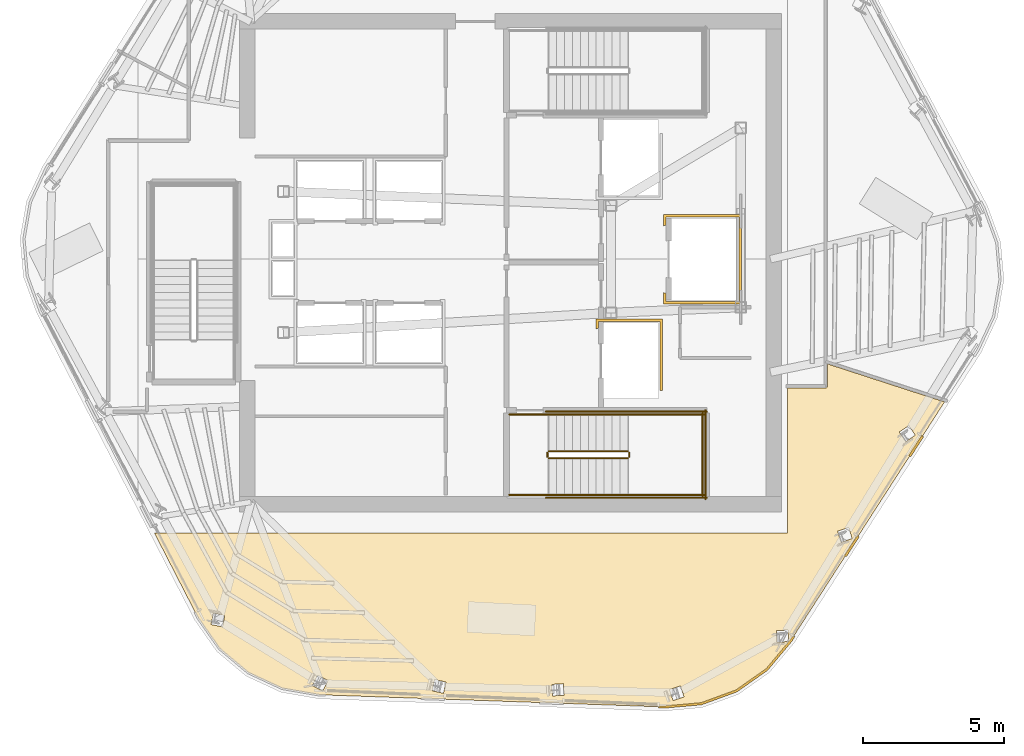
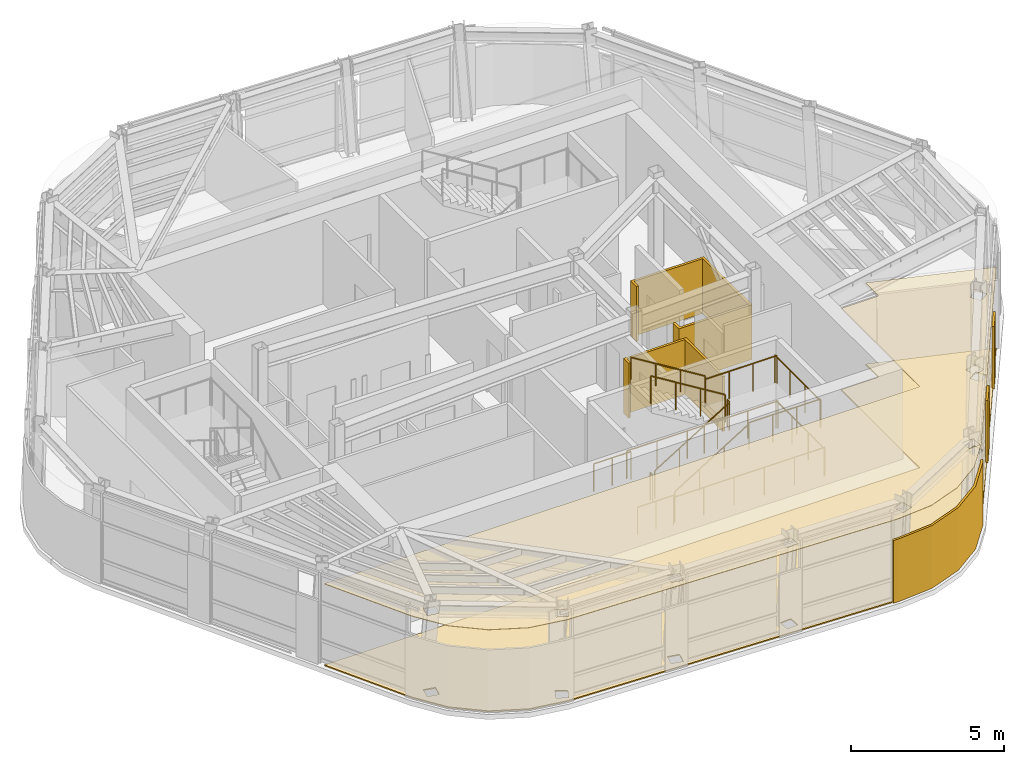
# One storey, part 10 of 13: 14 railings, 7 coverings.
"""IFC4 building model written with IfcOpenShell, lengths in metres."""

from ifc_helpers import new_model, si_unit, direction, frame, origin, origin_2d, place, context, subcontext, project, spatial, polyline, circle, outline, extrude, material, layer, layer_set, type_object, element, save


model = new_model("IFC4")

# Units and contexts
model_context = context("Model", 3, precision=1e-05, world=origin(), true_north=direction((0.0, 1.0)))
body_context = subcontext(model_context, "Body", "Model", "MODEL_VIEW")
ifc_project = project(units=[si_unit("LENGTHUNIT", "METRE"), si_unit("AREAUNIT", "SQUARE_METRE"), si_unit("VOLUMEUNIT", "CUBIC_METRE"), si_unit("PLANEANGLEUNIT", "RADIAN"), si_unit("MASSUNIT", "GRAM", prefix="KILO")], contexts=[model_context])

# Site, building, storey
site_placement = place(None, origin())
site = spatial("IfcSite", under=ifc_project, at=site_placement, CompositionType="ELEMENT")
building_placement = place(site_placement, origin())
building = spatial("IfcBuilding", under=site, at=building_placement, Name="Valkerne Bourse Tower", CompositionType="ELEMENT")
storey_placement = place(building_placement, frame((0.0, 0.0, 273.60009765625)))
storey = spatial("IfcBuildingStorey", under=building, at=storey_placement, Name="L69", CompositionType="ELEMENT", Elevation=273.60009765625)

# Coverings
ifc_material_1 = material(Name="Mineral Fiber Acoustic Ceiling Tile", Category="acoustic")
ifc_layer_1 = layer(ifc_material_1, 0.02490234375)
ifc_layer_set_1 = layer_set([ifc_layer_1], Name="Mineral Fiber Acoustic Ceiling Tile")
covering_type_1 = type_object("IfcCoveringType", Name="COV-CEIL-ACT", PredefinedType="CEILING", material=ifc_layer_set_1)
covering_1_placement = place(storey_placement, frame((0.0, 0.0, 3.25)))
element("IfcCovering", 1, at=covering_1_placement, inside=storey, type_object=covering_type_1, Name="L69 Suspended Ceiling 06", PredefinedType="CEILING", context=body_context, shape_type="SweptSolid", body=[
    extrude(outline(polyline([(54.7919921875, 11.712646484375), (53.552734375, 11.25927734375), (52.228515625, 11.14111328125), (40.012451171875, 11.572265625), (38.70361328125, 11.80078125), (37.5068359375, 12.356201171875), (36.494384765625, 13.20263671875), (35.73046875, 14.289794921875), (34.181884765625, 17.300048828125), (56.60009765625, 17.300048828125), (56.60009765625, 22.430908203125), (57.950439453125, 22.430908203125), (57.985107421875, 22.4404296875), (58.009521484375, 22.46484375), (58.018798828125, 22.49658203125), (58.01904296875, 23.292724609375), (62.16748046875, 21.944580078125), (56.724609375, 13.491455078125), (55.87158203125, 12.471435546875), (54.7919921875, 11.712646484375)]), holes=[polyline([(44.10986328125, 12.110107421875), (44.107666015625, 12.110595703125), (44.02099609375, 11.710693359375), (44.41748046875, 11.62451171875), (44.419921875, 11.6240234375), (44.506591796875, 12.024169921875), (44.10986328125, 12.110107421875)]), polyline([(39.96630859375, 12.2607421875), (39.964111328125, 12.26171875), (39.77880859375, 11.896728515625), (40.140380859375, 11.712890625), (40.142578125, 11.7119140625), (40.328125, 12.076904296875), (39.96630859375, 12.2607421875)]), polyline([(36.670654296875, 14.376708984375), (36.2705078125, 14.45947265625), (36.187255859375, 14.0615234375), (36.189208984375, 14.06005859375), (36.589111328125, 13.97705078125), (36.672607421875, 14.375), (36.670654296875, 14.376708984375)]), polyline([(52.942138671875, 11.497802734375), (52.81396484375, 11.88671875), (52.428466796875, 11.759765625), (52.42626953125, 11.7587890625), (52.55419921875, 11.3701171875), (52.939697265625, 11.4970703125), (52.942138671875, 11.497802734375)]), polyline([(48.690185546875, 11.55615234375), (48.6650390625, 11.964599609375), (48.259765625, 11.939697265625), (48.257568359375, 11.939453125), (48.28271484375, 11.531005859375), (48.68798828125, 11.555908203125), (48.690185546875, 11.55615234375)]), polyline([(56.644775390625, 13.459228515625), (56.622314453125, 13.865234375), (56.21435546875, 13.843505859375), (56.21240234375, 13.84228515625), (56.234619140625, 13.436279296875), (56.642578125, 13.4580078125), (56.644775390625, 13.459228515625)]), polyline([(58.894775390625, 17.106689453125), (58.7705078125, 17.49365234375), (58.381103515625, 17.369384765625), (58.379638671875, 17.36767578125), (58.50390625, 16.980712890625), (58.893310546875, 17.10498046875), (58.894775390625, 17.106689453125)]), polyline([(61.12890625, 20.76806640625), (60.904052734375, 21.106689453125), (60.563232421875, 20.881103515625), (60.562255859375, 20.879150390625), (60.787353515625, 20.540283203125), (61.128173828125, 20.76611328125), (61.12890625, 20.76806640625)])]), origin(), (0.0, 0.0, 1.0), 0.02490234375),
])
ifc_material_2 = material(Name="Bronze Anodised Aluminium AA 6063-T6", Category="aluminium")
ifc_layer_2 = layer(ifc_material_2, 0.06005859375)
ifc_layer_set_2 = layer_set([ifc_layer_2], Name="Bronze Anodised Aluminium AA 6063-T6")
covering_type_2 = type_object("IfcCoveringType", Name="COV-CRN-ALUM", PredefinedType="CLADDING", material=ifc_layer_set_2)
covering_2_placement = place(storey_placement, origin())
element("IfcCovering", 2, at=covering_2_placement, inside=storey, type_object=covering_type_2, Name="L69 Wind-Shaped Corner Aluminium Cladding 02", PredefinedType="CLADDING", context=body_context, shape_type="SweptSolid", body=[
    extrude(outline(polyline([(60.970458984375, 20.004150390625), (60.90283203125, 20.047119140625), (61.357666015625, 20.753173828125), (61.425048828125, 20.710205078125), (60.970458984375, 20.004150390625)])), origin(), (0.0, 0.0, 1.0), 2.5),
])
covering_3_placement = place(storey_placement, origin())
element("IfcCovering", 3, at=covering_3_placement, inside=storey, type_object=covering_type_2, Name="L69 Wind-Shaped Corner Aluminium Cladding 03", PredefinedType="CLADDING", context=body_context, shape_type="SweptSolid", body=[
    extrude(outline(polyline([(58.68994140625, 16.462646484375), (58.62255859375, 16.505615234375), (59.0771484375, 17.2119140625), (59.144775390625, 17.1689453125), (58.68994140625, 16.462646484375)])), origin(), (0.0, 0.0, 1.0), 2.5),
])
covering_4_placement = place(storey_placement, origin())
element("IfcCovering", 4, at=covering_4_placement, inside=storey, type_object=covering_type_2, Name="L69 Wind-Shaped Corner Aluminium Cladding 04", PredefinedType="CLADDING", context=body_context, shape_type="SweptSolid", body=[
    extrude(outline(polyline([(56.760009765625, 13.46533203125), (55.901611328125, 12.438720703125), (54.8125, 11.67333984375), (53.5625, 11.2158203125), (52.229736328125, 11.096923828125), (52.036865234375, 11.103759765625), (52.040283203125, 11.18359375), (52.2275390625, 11.177001953125), (53.544921875, 11.294677734375), (54.775146484375, 11.744873046875), (55.846923828125, 12.498046875), (56.6953125, 13.512939453125), (56.796875, 13.67041015625), (56.864501953125, 13.62744140625), (56.760009765625, 13.46533203125)])), origin(), (0.0, 0.0, 1.0), 2.5),
])
ifc_material_3 = material(Name="Galvanised Painted Steel", Category="steel")
ifc_layer_3 = layer(ifc_material_3, 0.044921875)
ifc_layer_set_3 = layer_set([ifc_layer_3], Name="Galvanised Painted Steel")
covering_type_3 = type_object("IfcCoveringType", Name="COV-FLR-RAF", PredefinedType="FLOORING", material=ifc_layer_set_3)
covering_5_placement = place(storey_placement, origin())
element("IfcCovering", 5, at=covering_5_placement, inside=storey, type_object=covering_type_3, Name="L69 Floor Finish 06", PredefinedType="FLOORING", context=body_context, shape_type="SweptSolid", body=[
    extrude(outline(polyline([(54.7919921875, 11.712646484375), (53.552734375, 11.25927734375), (52.228515625, 11.14111328125), (40.012451171875, 11.572265625), (38.70361328125, 11.80078125), (37.5068359375, 12.356201171875), (36.494384765625, 13.20263671875), (35.73046875, 14.289794921875), (34.181884765625, 17.300048828125), (56.60009765625, 17.300048828125), (56.60009765625, 22.430908203125), (57.950439453125, 22.430908203125), (57.985107421875, 22.4404296875), (58.009521484375, 22.46484375), (58.018798828125, 22.49658203125), (58.01904296875, 23.292724609375), (62.16748046875, 21.944580078125), (56.724609375, 13.491455078125), (55.87158203125, 12.471435546875), (54.7919921875, 11.712646484375)]), holes=[polyline([(44.10986328125, 12.110107421875), (44.107666015625, 12.110595703125), (44.02099609375, 11.710693359375), (44.41748046875, 11.62451171875), (44.419921875, 11.6240234375), (44.506591796875, 12.024169921875), (44.10986328125, 12.110107421875)]), polyline([(39.96630859375, 12.2607421875), (39.964111328125, 12.26171875), (39.77880859375, 11.896728515625), (40.140380859375, 11.712890625), (40.142578125, 11.7119140625), (40.328125, 12.076904296875), (39.96630859375, 12.2607421875)]), polyline([(36.670654296875, 14.376708984375), (36.2705078125, 14.45947265625), (36.187255859375, 14.0615234375), (36.189208984375, 14.06005859375), (36.589111328125, 13.97705078125), (36.672607421875, 14.375), (36.670654296875, 14.376708984375)]), polyline([(52.942138671875, 11.497802734375), (52.81396484375, 11.88671875), (52.428466796875, 11.759765625), (52.42626953125, 11.7587890625), (52.55419921875, 11.3701171875), (52.939697265625, 11.4970703125), (52.942138671875, 11.497802734375)]), polyline([(48.690185546875, 11.55615234375), (48.6650390625, 11.964599609375), (48.259765625, 11.939697265625), (48.257568359375, 11.939453125), (48.28271484375, 11.531005859375), (48.68798828125, 11.555908203125), (48.690185546875, 11.55615234375)]), polyline([(56.644775390625, 13.459228515625), (56.622314453125, 13.865234375), (56.21435546875, 13.843505859375), (56.21240234375, 13.84228515625), (56.234619140625, 13.436279296875), (56.642578125, 13.4580078125), (56.644775390625, 13.459228515625)]), polyline([(58.894775390625, 17.106689453125), (58.7705078125, 17.49365234375), (58.381103515625, 17.369384765625), (58.379638671875, 17.36767578125), (58.50390625, 16.980712890625), (58.893310546875, 17.10498046875), (58.894775390625, 17.106689453125)]), polyline([(61.12890625, 20.76806640625), (60.904052734375, 21.106689453125), (60.563232421875, 20.881103515625), (60.562255859375, 20.879150390625), (60.787353515625, 20.540283203125), (61.128173828125, 20.76611328125), (61.12890625, 20.76806640625)])]), origin(), (0.0, 0.0, 1.0), 0.044921875),
])
ifc_material_4 = material(Name="Gypsum Shaftwall Liner Board", Category="gypsum")
ifc_layer_4 = layer(ifc_material_4, 0.080078125)
ifc_layer_set_4 = layer_set([ifc_layer_4], Name="Gypsum Shaftwall Liner Board")
covering_type_4 = type_object("IfcCoveringType", Name="COV-SHF-CLAD", PredefinedType="CLADDING", material=ifc_layer_set_4)
covering_6_placement = place(storey_placement, origin())
element("IfcCovering", 6, at=covering_6_placement, inside=storey, type_object=covering_type_4, Name="L69 Hoistway & Riser Shaftwall Liner 01", PredefinedType="CLADDING", context=body_context, shape_type="SweptSolid", body=[
    extrude(outline(polyline([(52.179931640625, 24.8798828125), (52.179931640625, 22.35009765625), (52.090087890625, 22.35009765625), (52.090087890625, 24.7900390625), (49.909912109375, 24.7900390625), (49.909912109375, 24.560791015625), (49.869384765625, 24.550537109375), (49.827880859375, 24.53564453125), (49.820068359375, 24.531982421875), (49.820068359375, 24.8798828125), (52.179931640625, 24.8798828125)])), origin(), (0.0, 0.0, 1.0), 2.179931640625),
])
covering_7_placement = place(storey_placement, origin())
element("IfcCovering", 7, at=covering_7_placement, inside=storey, type_object=covering_type_4, Name="L69 Hoistway & Riser Shaftwall Liner 05", PredefinedType="CLADDING", context=body_context, shape_type="SweptSolid", body=[
    extrude(outline(polyline([(54.97998046875, 28.580078125), (54.97998046875, 25.419921875), (52.219970703125, 25.419921875), (52.219970703125, 25.81787109375), (52.227783203125, 25.814208984375), (52.269287109375, 25.79931640625), (52.31005859375, 25.789306640625), (52.31005859375, 25.510009765625), (54.889892578125, 25.510009765625), (54.889892578125, 28.489990234375), (52.31005859375, 28.489990234375), (52.31005859375, 28.210693359375), (52.269287109375, 28.20068359375), (52.227783203125, 28.185791015625), (52.219970703125, 28.18212890625), (52.219970703125, 28.580078125), (54.97998046875, 28.580078125)])), origin(), (0.0, 0.0, 1.0), 2.179931640625),
])

# Railings
railing_type_1 = type_object("IfcRailingType", Name="RLG-ST-GUARD-1120", PredefinedType="GUARDRAIL", material=ifc_material_3)
railing_1_placement = place(storey_placement, frame((48.14990234375, 19.949951171875, 0.172607421875)))
element("IfcRailing", 8, at=railing_1_placement, inside=storey, type_object=railing_type_1, Name="L69 ST-1 stair guard 1", PredefinedType="GUARDRAIL", context=body_context, shape_type="SweptSolid", body=[
    extrude(circle(Radius=0.02392578125, at=origin_2d()), frame((0.0, 0.0, 1.09619140625), z_axis=(0.851089632645, 0.0, 0.525020415988), x_axis=(0.0, 1.0, 0.0)), (0.0, 0.0, 1.0), 3.2900390625),
    extrude(circle(Radius=0.02099609375, at=origin_2d()), origin(), (0.0, 0.0, 1.0), 1.072021484375),
    extrude(circle(Radius=0.02099609375, at=origin_2d()), frame((0.933349609375, 0.0, 0.57568359375)), (0.0, 0.0, 1.0), 1.072021484375),
    extrude(circle(Radius=0.02099609375, at=origin_2d()), frame((1.86669921875, 0.0, 1.151611328125)), (0.0, 0.0, 1.0), 1.072021484375),
    extrude(circle(Radius=0.02099609375, at=origin_2d()), frame((2.800048828125, 0.0, 1.727294921875)), (0.0, 0.0, 1.0), 1.072021484375),
])
railing_2_placement = place(storey_placement, frame((51.0, 20.0, 1.89990234375)))
element("IfcRailing", 9, at=railing_2_placement, inside=storey, type_object=railing_type_1, Name="L69 ST-1 stair guard 2", PredefinedType="GUARDRAIL", context=body_context, shape_type="SweptSolid", body=[
    extrude(circle(Radius=0.02392578125, at=origin_2d()), frame((0.0, 0.0, 1.09619140625), z_axis=(0.0, 1.0, 0.0), x_axis=(-1.0, 0.0, 0.0)), (0.0, 0.0, 1.0), 0.14990234375),
    extrude(circle(Radius=0.02099609375, at=origin_2d()), origin(), (0.0, 0.0, 1.0), 1.072021484375),
    extrude(circle(Radius=0.02099609375, at=origin_2d()), frame((0.0, 0.14990234375, 0.0)), (0.0, 0.0, 1.0), 1.072021484375),
])
for number, where, name in (
    (10, (50.949951171875, 18.64990234375, 1.89990234375), "L69 ST-1 stair guard 3"),
    (11, (50.949951171875, 21.5, 1.89990234375), "L69 ST-1 stair guard 4"),
):
    element("IfcRailing", number, at=place(storey_placement, frame(where)), inside=storey, type_object=railing_type_1, Name=name, PredefinedType="GUARDRAIL", context=body_context, shape_type="SweptSolid", body=[
        extrude(circle(Radius=0.02392578125, at=origin_2d()), frame((0.0, 0.0, 1.09619140625), z_axis=(1.0, 0.0, 0.0), x_axis=(0.0, 1.0, 0.0)), (0.0, 0.0, 1.0), 2.699951171875),
        extrude(circle(Radius=0.02099609375, at=origin_2d()), origin(), (0.0, 0.0, 1.0), 1.072021484375),
        extrude(circle(Radius=0.02099609375, at=origin_2d()), frame((0.89990234375, 0.0, 0.0)), (0.0, 0.0, 1.0), 1.072021484375),
        extrude(circle(Radius=0.02099609375, at=origin_2d()), frame((1.800048828125, 0.0, 0.0)), (0.0, 0.0, 1.0), 1.072021484375),
        extrude(circle(Radius=0.02099609375, at=origin_2d()), frame((2.699951171875, 0.0, 0.0)), (0.0, 0.0, 1.0), 1.072021484375),
    ])
railing_3_placement = place(storey_placement, frame((53.60009765625, 18.60009765625, 1.89990234375)))
element("IfcRailing", 12, at=railing_3_placement, inside=storey, type_object=railing_type_1, Name="L69 ST-1 stair guard 5", PredefinedType="GUARDRAIL", context=body_context, shape_type="SweptSolid", body=[
    extrude(circle(Radius=0.02392578125, at=origin_2d()), frame((0.0, 0.0, 1.09619140625), z_axis=(0.0, 1.0, 0.0), x_axis=(-1.0, 0.0, 0.0)), (0.0, 0.0, 1.0), 2.949951171875),
    extrude(circle(Radius=0.02099609375, at=origin_2d()), origin(), (0.0, 0.0, 1.0), 1.072021484375),
    extrude(circle(Radius=0.02099609375, at=origin_2d()), frame((0.0, 0.9833984375, 0.0)), (0.0, 0.0, 1.0), 1.072021484375),
    extrude(circle(Radius=0.02099609375, at=origin_2d()), frame((0.0, 1.966552734375, 0.0)), (0.0, 0.0, 1.0), 1.072021484375),
    extrude(circle(Radius=0.02099609375, at=origin_2d()), frame((0.0, 2.949951171875, 0.0)), (0.0, 0.0, 1.0), 1.072021484375),
])
railing_4_placement = place(storey_placement, frame((50.949951171875, 20.199951171875, 2.072509765625)))
element("IfcRailing", 13, at=railing_4_placement, inside=storey, type_object=railing_type_1, Name="L69 ST-1 stair guard 6", PredefinedType="GUARDRAIL", context=body_context, shape_type="SweptSolid", body=[
    extrude(circle(Radius=0.02392578125, at=origin_2d()), frame((0.0, 0.0, 1.09619140625), z_axis=(-0.851089632645, 0.0, 0.525020415988), x_axis=(0.0, -1.0, 0.0)), (0.0, 0.0, 1.0), 3.2900390625),
    extrude(circle(Radius=0.02099609375, at=origin_2d()), origin(), (0.0, 0.0, 1.0), 1.072021484375),
    extrude(circle(Radius=0.02099609375, at=origin_2d()), frame((-0.933349609375, 0.0, 0.57568359375)), (0.0, 0.0, 1.0), 1.072021484375),
    extrude(circle(Radius=0.02099609375, at=origin_2d()), frame((-1.86669921875, 0.0, 1.151611328125)), (0.0, 0.0, 1.0), 1.072021484375),
    extrude(circle(Radius=0.02099609375, at=origin_2d()), frame((-2.800048828125, 0.0, 1.727294921875)), (0.0, 0.0, 1.0), 1.072021484375),
])
railing_5_placement = place(storey_placement, frame((48.10009765625, 20.0, 0.0)))
element("IfcRailing", 14, at=railing_5_placement, inside=storey, type_object=railing_type_1, Name="L69 ST-1 stair guard 7", PredefinedType="GUARDRAIL", context=body_context, shape_type="SweptSolid", body=[
    extrude(circle(Radius=0.02392578125, at=origin_2d()), frame((0.0, 0.0, 1.09619140625), z_axis=(0.0, 1.0, 0.0), x_axis=(-1.0, 0.0, 0.0)), (0.0, 0.0, 1.0), 0.14990234375),
    extrude(circle(Radius=0.02099609375, at=origin_2d()), origin(), (0.0, 0.0, 1.0), 1.072021484375),
    extrude(circle(Radius=0.02099609375, at=origin_2d()), frame((0.0, 0.14990234375, 0.0)), (0.0, 0.0, 1.0), 1.072021484375),
])
for number, where, name in (
    (15, (46.75, 18.64990234375, 0.0), "L69 ST-1 stair guard 8"),
    (16, (46.75, 21.5, 0.0), "L69 ST-1 stair guard 9"),
):
    element("IfcRailing", number, at=place(storey_placement, frame(where)), inside=storey, type_object=railing_type_1, Name=name, PredefinedType="GUARDRAIL", context=body_context, shape_type="SweptSolid", body=[
        extrude(circle(Radius=0.02392578125, at=origin_2d()), frame((0.0, 0.0, 1.09619140625), z_axis=(1.0, 0.0, 0.0), x_axis=(0.0, 1.0, 0.0)), (0.0, 0.0, 1.0), 1.39990234375),
        extrude(circle(Radius=0.02099609375, at=origin_2d()), origin(), (0.0, 0.0, 1.0), 1.072021484375),
        extrude(circle(Radius=0.02099609375, at=origin_2d()), frame((0.699951171875, 0.0, 0.0)), (0.0, 0.0, 1.0), 1.072021484375),
        extrude(circle(Radius=0.02099609375, at=origin_2d()), frame((1.39990234375, 0.0, 0.0)), (0.0, 0.0, 1.0), 1.072021484375),
    ])
for number, where, name in (
    (17, (48.050048828125, 18.550048828125, 0.0), "L69 ST-1 stair guard 10"),
    (18, (48.050048828125, 21.60009765625, 0.0), "L69 ST-1 stair guard 11"),
):
    element("IfcRailing", number, at=place(storey_placement, frame(where)), inside=storey, type_object=railing_type_1, Name=name, PredefinedType="GUARDRAIL", context=body_context, shape_type="SweptSolid", body=[
        extrude(circle(Radius=0.02392578125, at=origin_2d()), frame((0.0, 0.0, 1.09619140625), z_axis=(1.0, 0.0, 0.0), x_axis=(0.0, 1.0, 0.0)), (0.0, 0.0, 1.0), 5.699951171875),
        extrude(circle(Radius=0.02099609375, at=origin_2d()), origin(), (0.0, 0.0, 1.0), 1.072021484375),
        extrude(circle(Radius=0.02099609375, at=origin_2d()), frame((1.139892578125, 0.0, 0.0)), (0.0, 0.0, 1.0), 1.072021484375),
        extrude(circle(Radius=0.02099609375, at=origin_2d()), frame((2.280029296875, 0.0, 0.0)), (0.0, 0.0, 1.0), 1.072021484375),
        extrude(circle(Radius=0.02099609375, at=origin_2d()), frame((3.419921875, 0.0, 0.0)), (0.0, 0.0, 1.0), 1.072021484375),
        extrude(circle(Radius=0.02099609375, at=origin_2d()), frame((4.56005859375, 0.0, 0.0)), (0.0, 0.0, 1.0), 1.072021484375),
        extrude(circle(Radius=0.02099609375, at=origin_2d()), frame((5.699951171875, 0.0, 0.0)), (0.0, 0.0, 1.0), 1.072021484375),
    ])
railing_6_placement = place(storey_placement, frame((53.699951171875, 18.5, 0.0)))
element("IfcRailing", 19, at=railing_6_placement, inside=storey, type_object=railing_type_1, Name="L69 ST-1 stair guard 12", PredefinedType="GUARDRAIL", context=body_context, shape_type="SweptSolid", body=[
    extrude(circle(Radius=0.02392578125, at=origin_2d()), frame((0.0, 0.0, 1.09619140625), z_axis=(0.0, 1.0, 0.0), x_axis=(-1.0, 0.0, 0.0)), (0.0, 0.0, 1.0), 3.14990234375),
    extrude(circle(Radius=0.02099609375, at=origin_2d()), origin(), (0.0, 0.0, 1.0), 1.072021484375),
    extrude(circle(Radius=0.02099609375, at=origin_2d()), frame((0.0, 1.050048828125, 0.0)), (0.0, 0.0, 1.0), 1.072021484375),
    extrude(circle(Radius=0.02099609375, at=origin_2d()), frame((0.0, 2.099853515625, 0.0)), (0.0, 0.0, 1.0), 1.072021484375),
    extrude(circle(Radius=0.02099609375, at=origin_2d()), frame((0.0, 3.14990234375, 0.0)), (0.0, 0.0, 1.0), 1.072021484375),
])
ifc_material_5 = material(Name="Stainless Steel AISI 316", Category="steel")
railing_type_2 = type_object("IfcRailingType", Name="RLG-ST-HANDRAIL-900", PredefinedType="HANDRAIL", material=ifc_material_5)
railing_7_placement = place(storey_placement, frame((48.14990234375, 18.64990234375, 0.345458984375)))
element("IfcRailing", 20, at=railing_7_placement, inside=storey, type_object=railing_type_2, Name="L69 ST-1 stair handrail 1", PredefinedType="HANDRAIL", context=body_context, shape_type="SweptSolid", body=[
    extrude(circle(Radius=0.02392578125, at=origin_2d()), frame((0.0, 0.0, 0.8759765625), z_axis=(0.851122791225, 0.0, 0.524966660138), x_axis=(0.0, 1.0, 0.0)), (0.0, 0.0, 1.0), 3.289794921875),
    extrude(circle(Radius=0.02099609375, at=origin_2d()), origin(), (0.0, 0.0, 1.0), 0.851806640625),
    extrude(circle(Radius=0.02099609375, at=origin_2d()), frame((0.933349609375, 0.0, 0.57568359375)), (0.0, 0.0, 1.0), 0.851806640625),
    extrude(circle(Radius=0.02099609375, at=origin_2d()), frame((1.86669921875, 0.0, 1.1513671875)), (0.0, 0.0, 1.0), 0.851806640625),
    extrude(circle(Radius=0.02099609375, at=origin_2d()), frame((2.800048828125, 0.0, 1.72705078125)), (0.0, 0.0, 1.0), 0.851806640625),
])
railing_8_placement = place(storey_placement, frame((50.949951171875, 21.5, 2.245361328125)))
element("IfcRailing", 21, at=railing_8_placement, inside=storey, type_object=railing_type_2, Name="L69 ST-1 stair handrail 2", PredefinedType="HANDRAIL", context=body_context, shape_type="SweptSolid", body=[
    extrude(circle(Radius=0.02392578125, at=origin_2d()), frame((0.0, 0.0, 0.8759765625), z_axis=(-0.851089632645, 0.0, 0.525020415988), x_axis=(0.0, -1.0, 0.0)), (0.0, 0.0, 1.0), 3.2900390625),
    extrude(circle(Radius=0.02099609375, at=origin_2d()), origin(), (0.0, 0.0, 1.0), 0.851806640625),
    extrude(circle(Radius=0.02099609375, at=origin_2d()), frame((-0.933349609375, 0.0, 0.57568359375)), (0.0, 0.0, 1.0), 0.851806640625),
    extrude(circle(Radius=0.02099609375, at=origin_2d()), frame((-1.86669921875, 0.0, 1.151611328125)), (0.0, 0.0, 1.0), 0.851806640625),
    extrude(circle(Radius=0.02099609375, at=origin_2d()), frame((-2.800048828125, 0.0, 1.727294921875)), (0.0, 0.0, 1.0), 0.851806640625),
])

save(model, "model.ifc")
